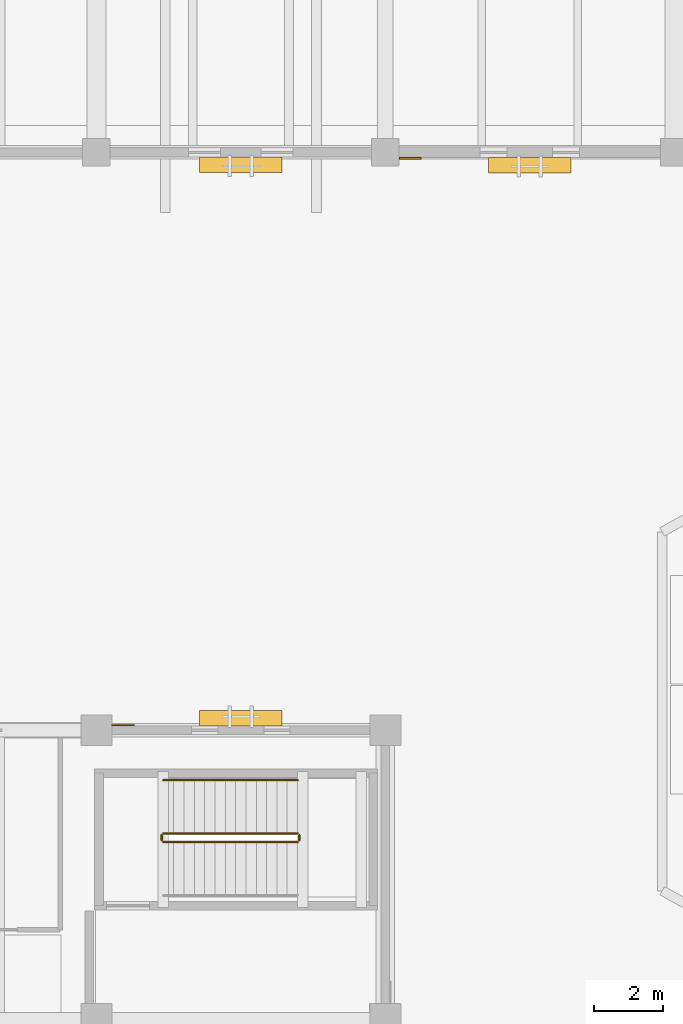
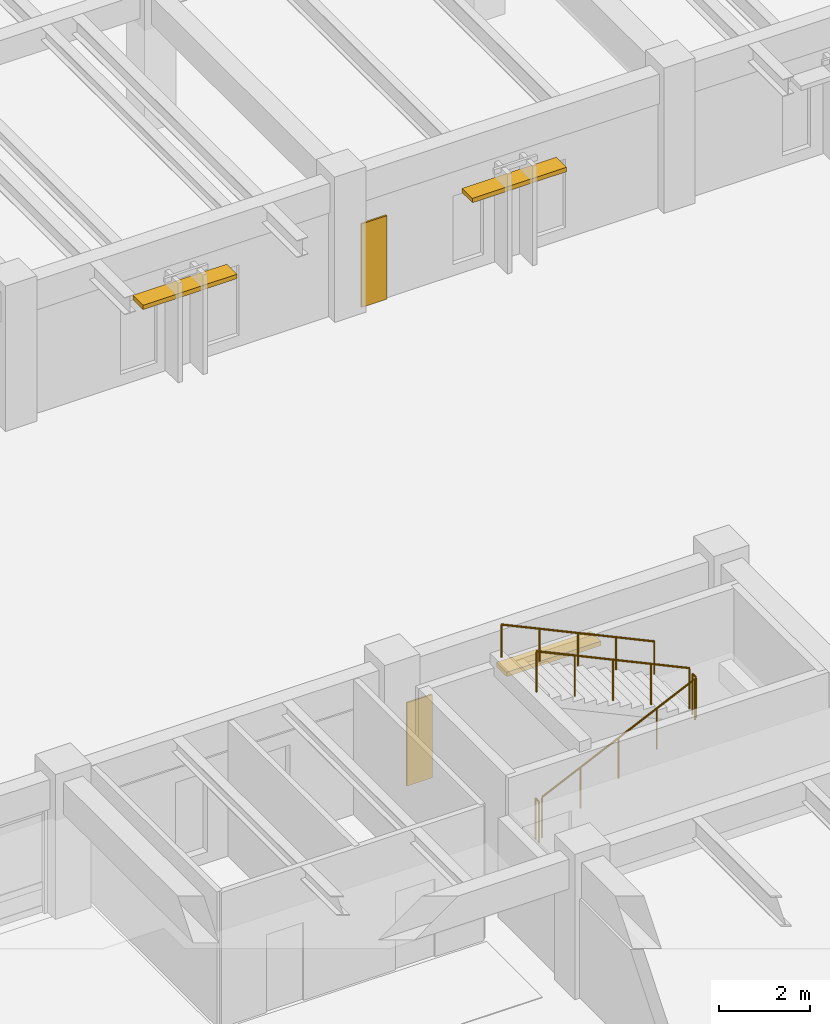
# One storey, part 119 of 135: 5 railings, 3 shading devices, 2 coverings.
"""IFC4 building model written with IfcOpenShell, lengths in metres."""

from ifc_helpers import new_model, si_unit, direction, frame, origin, origin_2d, place, context, subcontext, project, spatial, polyline, rectangle, circle, outline, extrude, material, layer, layer_set, type_object, element, save


model = new_model("IFC4")

# Units and contexts
model_context = context("Model", 3, precision=1e-05, world=origin(), true_north=direction((0.0, 1.0)))
body_context = subcontext(model_context, "Body", "Model", "MODEL_VIEW")
ifc_project = project(units=[si_unit("LENGTHUNIT", "METRE"), si_unit("AREAUNIT", "SQUARE_METRE"), si_unit("VOLUMEUNIT", "CUBIC_METRE"), si_unit("PLANEANGLEUNIT", "RADIAN"), si_unit("MASSUNIT", "GRAM", prefix="KILO")], contexts=[model_context])

# Site, building, storey
site_placement = place(None, origin())
site = spatial("IfcSite", under=ifc_project, at=site_placement, CompositionType="ELEMENT")
building_placement = place(site_placement, origin())
building = spatial("IfcBuilding", under=site, at=building_placement, Name="Cumbredor Promenade Congress Hotel", CompositionType="ELEMENT")
storey_placement = place(building_placement, origin())
storey = spatial("IfcBuildingStorey", under=building, at=storey_placement, Name="L00", CompositionType="ELEMENT", Elevation=0.0)

# Covering
ifc_material_1 = material(Name="Precast concrete C40/50", Category="concrete")
ifc_layer_1 = layer(ifc_material_1, 0.044921875, Name="Precast concrete C40/50", Category="concrete")
ifc_layer_set_1 = layer_set([ifc_layer_1], Name="Precast concrete C40/50")
covering_type_1 = type_object("IfcCoveringType", Name="Board-Formed Architectural Cladding Panel 45mm", PredefinedType="CLADDING", material=ifc_layer_set_1)
covering_1_placement = place(storey_placement, origin())
element("IfcCovering", 1, at=covering_1_placement, inside=storey, type_object=covering_type_1, Name="L00 Facade Stone Cladding Pier 036", PredefinedType="CLADDING", context=body_context, shape_type="SweptSolid", body=[
    extrude(outline(polyline([(67.60107421875, 83.85009765625), (68.2509765625, 83.85009765625), (68.2509765625, 83.804931640625), (67.60107421875, 83.804931640625), (67.60107421875, 83.85009765625)])), origin(), (0.0, 0.0, 1.0), 2.25),
])

# Shading devices
ifc_material_2 = material(Name="Thermally broken anodized aluminium", Category="aluminium")
shading_device_type = type_object("IfcShadingDeviceType", Name="Horizontal Bronze Jalousie Louvre JAL-01", PredefinedType="JALOUSIE", material=ifc_material_2)
for number, where, z_axis, x_axis, name in (
    (2, (63.0, 67.554931640625, 2.06005859375), (0.0, 0.0, 1.0), (1.0, 0.0, 0.0), "L00 Horizontal Bronze Jalousie 006"),
    (3, (63.0, 83.635009765625, 2.2099609375), (0.0, 0.0, 1.0), (1.0, 0.0, 0.0), "L00 Horizontal Bronze Jalousie 024"),
    (4, (71.39990234375, 83.625, 2.159912109375), (0.0, 0.0, 1.0), (1.0, 0.0, 0.0), "L00 Horizontal Bronze Jalousie 025"),
):
    element("IfcShadingDevice", number, at=place(storey_placement, frame(where, z_axis=z_axis, x_axis=x_axis)), inside=storey, type_object=shading_device_type, Name=name, PredefinedType="JALOUSIE", context=body_context, shape_type="SweptSolid", body=[
        extrude(rectangle(XDim=2.39990234375, YDim=0.449951171875, at=origin_2d()), origin(), (0.0, 0.0, 1.0), 0.1201171875),
    ])

# Railings
ifc_material_3 = material(Name="Brushed stainless steel", Category="steel")
railing_type_1 = type_object("IfcRailingType", Name="Interior Void & Stair Guardrail GR-1100", PredefinedType="GUARDRAIL", material=ifc_material_3)
railing_1_placement = place(storey_placement, frame((60.75, 63.949951171875, 0.139892578125)))
element("IfcRailing", 5, at=railing_1_placement, inside=storey, type_object=railing_type_1, Name="L00 ST-07 stair guard 1", PredefinedType="GUARDRAIL", context=body_context, shape_type="SweptSolid", body=[
    extrude(circle(Radius=0.02392578125, at=origin_2d()), frame((0.0, 0.0, 1.09619140625), z_axis=(0.906172994947, 0.0, 0.42290720404), x_axis=(0.0, 1.0, 0.0)), (0.0, 0.0, 1.0), 4.3037109375),
    extrude(circle(Radius=0.02099609375, at=origin_2d()), origin(), (0.0, 0.0, 1.0), 1.072021484375),
    extrude(circle(Radius=0.02099609375, at=origin_2d()), frame((0.97509765625, 0.0, 0.455078125)), (0.0, 0.0, 1.0), 1.072021484375),
    extrude(circle(Radius=0.02099609375, at=origin_2d()), frame((1.949951171875, 0.0, 0.91015625)), (0.0, 0.0, 1.0), 1.072021484375),
    extrude(circle(Radius=0.02099609375, at=origin_2d()), frame((2.9248046875, 0.0, 1.364990234375)), (0.0, 0.0, 1.0), 1.072021484375),
    extrude(circle(Radius=0.02099609375, at=origin_2d()), frame((3.89990234375, 0.0, 1.820068359375)), (0.0, 0.0, 1.0), 1.072021484375),
])
railing_2_placement = place(storey_placement, frame((64.699951171875, 64.0, 1.9599609375)))
element("IfcRailing", 6, at=railing_2_placement, inside=storey, type_object=railing_type_1, Name="L00 ST-07 stair guard 2", PredefinedType="GUARDRAIL", context=body_context, shape_type="SweptSolid", body=[
    extrude(circle(Radius=0.02392578125, at=origin_2d()), frame((0.0, 0.0, 1.09619140625), z_axis=(0.0, 1.0, 0.0), x_axis=(-1.0, 0.0, 0.0)), (0.0, 0.0, 1.0), 0.14990234375),
    extrude(circle(Radius=0.02099609375, at=origin_2d()), origin(), (0.0, 0.0, 1.0), 1.072021484375),
    extrude(circle(Radius=0.02099609375, at=origin_2d()), frame((0.0, 0.14990234375, 0.0)), (0.0, 0.0, 1.0), 1.072021484375),
])
railing_3_placement = place(storey_placement, frame((64.64990234375, 64.199951171875, 2.10009765625)))
element("IfcRailing", 7, at=railing_3_placement, inside=storey, type_object=railing_type_1, Name="L00 ST-07 stair guard 3", PredefinedType="GUARDRAIL", context=body_context, shape_type="SweptSolid", body=[
    extrude(circle(Radius=0.02392578125, at=origin_2d()), frame((0.0, 0.0, 1.09619140625), z_axis=(-0.906194733976, 0.0, 0.422860620199), x_axis=(0.0, -1.0, 0.0)), (0.0, 0.0, 1.0), 4.3037109375),
    extrude(circle(Radius=0.02099609375, at=origin_2d()), origin(), (0.0, 0.0, 1.0), 1.072021484375),
    extrude(circle(Radius=0.02099609375, at=origin_2d()), frame((-0.97509765625, 0.0, 0.455078125)), (0.0, 0.0, 1.0), 1.072021484375),
    extrude(circle(Radius=0.02099609375, at=origin_2d()), frame((-1.949951171875, 0.0, 0.909912109375)), (0.0, 0.0, 1.0), 1.072021484375),
    extrude(circle(Radius=0.02099609375, at=origin_2d()), frame((-2.9248046875, 0.0, 1.36474609375)), (0.0, 0.0, 1.0), 1.072021484375),
    extrude(circle(Radius=0.02099609375, at=origin_2d()), frame((-3.89990234375, 0.0, 1.81982421875)), (0.0, 0.0, 1.0), 1.072021484375),
])
railing_4_placement = place(storey_placement, frame((60.699951171875, 64.0, 0.0)))
element("IfcRailing", 8, at=railing_4_placement, inside=storey, type_object=railing_type_1, Name="L00 ST-07 stair guard 4", PredefinedType="GUARDRAIL", context=body_context, shape_type="SweptSolid", body=[
    extrude(circle(Radius=0.02392578125, at=origin_2d()), frame((0.0, 0.0, 1.09619140625), z_axis=(0.0, 1.0, 0.0), x_axis=(-1.0, 0.0, 0.0)), (0.0, 0.0, 1.0), 0.14990234375),
    extrude(circle(Radius=0.02099609375, at=origin_2d()), origin(), (0.0, 0.0, 1.0), 1.072021484375),
    extrude(circle(Radius=0.02099609375, at=origin_2d()), frame((0.0, 0.14990234375, 0.0)), (0.0, 0.0, 1.0), 1.072021484375),
])
railing_type_2 = type_object("IfcRailingType", Name="Stair Pitch Handrail HR-900", PredefinedType="HANDRAIL", material=ifc_material_3)
railing_5_placement = place(storey_placement, frame((64.64990234375, 65.75, 2.10009765625)))
element("IfcRailing", 9, at=railing_5_placement, inside=storey, type_object=railing_type_2, Name="L00 ST-07 stair handrail 2", PredefinedType="HANDRAIL", context=body_context, shape_type="SweptSolid", body=[
    extrude(circle(Radius=0.02392578125, at=origin_2d()), frame((0.0, 0.0, 0.8759765625), z_axis=(-0.906194733976, 0.0, 0.422860620199), x_axis=(0.0, -1.0, 0.0)), (0.0, 0.0, 1.0), 4.3037109375),
    extrude(circle(Radius=0.02099609375, at=origin_2d()), origin(), (0.0, 0.0, 1.0), 0.851806640625),
    extrude(circle(Radius=0.02099609375, at=origin_2d()), frame((-0.97509765625, 0.0, 0.455078125)), (0.0, 0.0, 1.0), 0.851806640625),
    extrude(circle(Radius=0.02099609375, at=origin_2d()), frame((-1.949951171875, 0.0, 0.909912109375)), (0.0, 0.0, 1.0), 0.851806640625),
    extrude(circle(Radius=0.02099609375, at=origin_2d()), frame((-2.9248046875, 0.0, 1.36474609375)), (0.0, 0.0, 1.0), 0.851806640625),
    extrude(circle(Radius=0.02099609375, at=origin_2d()), frame((-3.89990234375, 0.0, 1.81982421875)), (0.0, 0.0, 1.0), 0.851806640625),
])

# Covering
ifc_material_4 = material(Name="Volcanic andesite ashlar cladding", Category="masonry")
ifc_layer_2 = layer(ifc_material_4, 0.034912109375, Name="Volcanic andesite ashlar cladding", Category="masonry")
ifc_layer_set_2 = layer_set([ifc_layer_2], Name="Volcanic andesite ashlar cladding")
covering_type_2 = type_object("IfcCoveringType", Name="Volcanic Andesite Ashlar Rainscreen Cladding 35mm", PredefinedType="CLADDING", material=ifc_layer_set_2)
covering_2_placement = place(storey_placement, origin())
element("IfcCovering", 10, at=covering_2_placement, inside=storey, type_object=covering_type_2, Name="L00 Facade Stone Cladding Pier 005", PredefinedType="CLADDING", context=body_context, shape_type="SweptSolid", body=[
    extrude(outline(polyline([(59.2509765625, 67.330078125), (59.90087890625, 67.330078125), (59.90087890625, 67.364990234375), (59.2509765625, 67.364990234375), (59.2509765625, 67.330078125)])), origin(), (0.0, 0.0, 1.0), 2.25),
])

save(model, "model.ifc")
